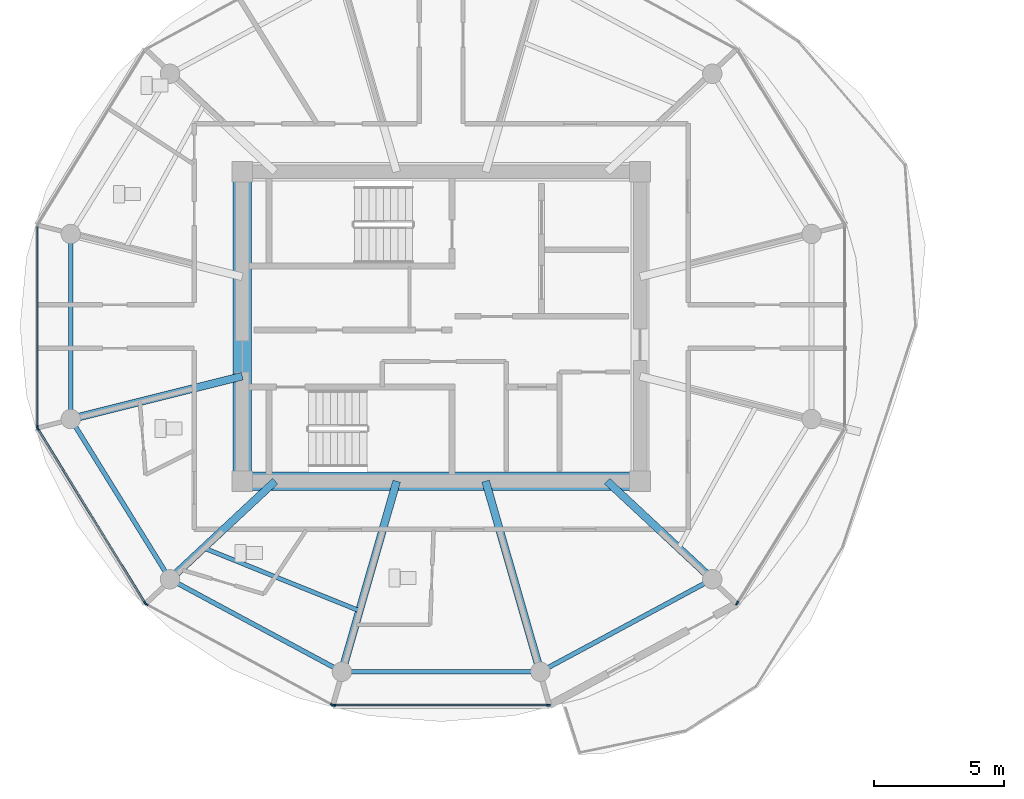
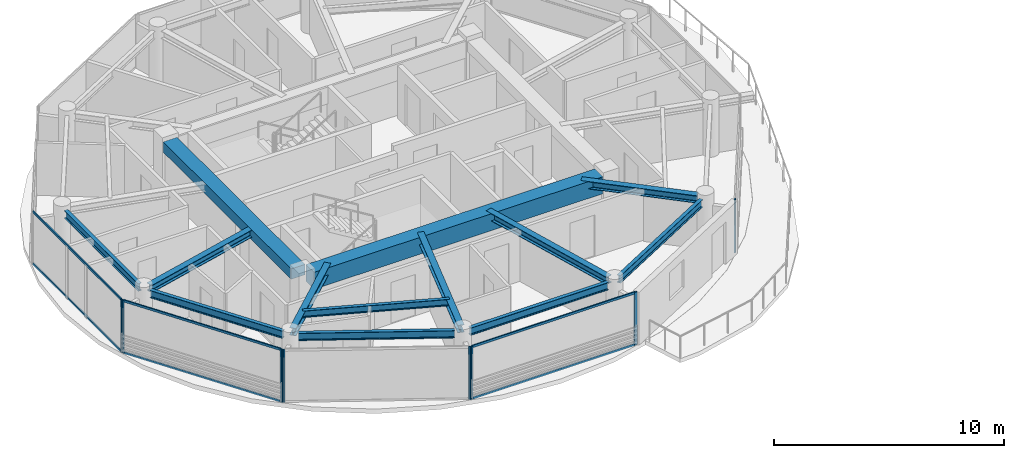
# One storey, part 2 of 19: 14 members, 13 beams, 5 elements without a shape of their own.
"""IFC4 building model written with IfcOpenShell, lengths in metres."""

from ifc_helpers import new_model, si_unit, direction, frame, origin, origin_2d, place, context, subcontext, project, spatial, rectangle, i_section, extrude, source, transform, mapped, material, layer, layer_set, material_profile, profile_set, type_object, type_shapes, element, aggregate, save


model = new_model("IFC4")

# Units and contexts
model_context = context("Model", 3, precision=1e-05, world=origin(), true_north=direction((0.0, 1.0)))
body_context = subcontext(model_context, "Body", "Model", "MODEL_VIEW")
ifc_project = project(units=[si_unit("LENGTHUNIT", "METRE"), si_unit("AREAUNIT", "SQUARE_METRE"), si_unit("VOLUMEUNIT", "CUBIC_METRE"), si_unit("PLANEANGLEUNIT", "RADIAN"), si_unit("MASSUNIT", "GRAM", prefix="KILO")], contexts=[model_context])

# Site, building, storey
site_placement = place(None, origin())
site = spatial("IfcSite", under=ifc_project, at=site_placement, CompositionType="ELEMENT")
building_placement = place(site_placement, origin())
building = spatial("IfcBuilding", under=site, at=building_placement, Name="Norrkilde Senior Care Towers", CompositionType="ELEMENT")
storey_placement = place(building_placement, frame((0.0, 0.0, 193.699951171875)))
storey = spatial("IfcBuildingStorey", under=building, at=storey_placement, Name="L60", CompositionType="ELEMENT", Elevation=193.699951171875)

# Beams
ifc_material_1 = material(Name="Concrete C60/75", Category="concrete")
ifc_material_profile_1 = material_profile(ifc_material_1, rectangle(XDim=0.699951171875, YDim=0.89990234375, at=origin_2d()), Name="RC BM 700x900")
ifc_profile_set_1 = profile_set([ifc_material_profile_1], Name="Concrete C60/75")
beam_type_1 = type_object("IfcBeamType", Name="Core Coupling Girder 700x900", PredefinedType="USERDEFINED", material=ifc_profile_set_1)
shared_shape_1 = source(origin(), body_context, "Body", "SweptSolid", [
    extrude(rectangle(XDim=0.699951171875, YDim=0.89990234375, at=origin_2d()), origin(), (0.0, 0.0, 1.0), 14.5400390625),
])
type_shapes(beam_type_1, [shared_shape_1])
beam_1_placement = place(storey_placement, frame((-35.27001953125, -5.949951171875, 2.360107421875), z_axis=(1.0, 0.0, 0.0), x_axis=(0.0, 1.0, 0.0)))
element("IfcBeam", 1, at=beam_1_placement, inside=storey, type_object=beam_type_1, Name="L60 Core W S Coupling Girder", ObjectType="GIRDER", PredefinedType="USERDEFINED", context=body_context, shape_type="MappedRepresentation", body=[
    mapped(shared_shape_1, transform((0.0, 0.0, 0.0), x_axis=(1.0, 0.0, 0.0), y_axis=(0.0, 1.0, 0.0), z_axis=(0.0, 0.0, 1.0), scale=1.0)),
])
ifc_material_profile_2 = material_profile(ifc_material_1, rectangle(XDim=0.699951171875, YDim=0.550048828125, at=origin_2d()), Name="RC BM 700x550")
ifc_profile_set_2 = profile_set([ifc_material_profile_2], Name="Concrete C60/75")
beam_type_2 = type_object("IfcBeamType", Name="Core Portal Coupling Beam 700x550", PredefinedType="USERDEFINED", material=ifc_profile_set_2)
shared_shape_2 = source(origin(), body_context, "Body", "SweptSolid", [
    extrude(rectangle(XDim=0.699951171875, YDim=0.550048828125, at=origin_2d()), origin(), (0.0, 0.0, 1.0), 11.14013671875),
])
type_shapes(beam_type_2, [shared_shape_2])
beam_2_placement = place(storey_placement, frame((-35.64990234375, -5.570068359375, 2.53515625), z_axis=(0.0, 1.0, 0.0), x_axis=(-1.0, 0.0, 0.0)))
element("IfcBeam", 2, at=beam_2_placement, inside=storey, type_object=beam_type_2, Name="L60 Core W W Coupling Girder", ObjectType="GIRDER", PredefinedType="USERDEFINED", context=body_context, shape_type="MappedRepresentation", body=[
    mapped(shared_shape_2, transform((0.0, 0.0, 0.0), x_axis=(1.0, 0.0, 0.0), y_axis=(0.0, 1.0, 0.0), z_axis=(0.0, 0.0, 1.0), scale=1.0)),
])
ifc_material_2 = material(Name="Steel S355", Category="steel")
ifc_material_profile_3 = material_profile(ifc_material_2, i_section(OverallWidth=0.179931640625, OverallDepth=0.39990234375, WebThickness=0.008544921875, FlangeThickness=0.013427734375, FilletRadius=0.02099609375, at=origin_2d()), Name="IPE 400")
ifc_profile_set_3 = profile_set([ifc_material_profile_3], Name="Steel S355")
beam_type_3 = type_object("IfcBeamType", Name="Perimeter Ring Spandrel Z4 IPE400", PredefinedType="SPANDREL", material=ifc_profile_set_3)
shared_shape_3 = source(origin(), body_context, "Body", "SweptSolid", [
    extrude(i_section(OverallWidth=0.179931640625, OverallDepth=0.39990234375, WebThickness=0.008544921875, FlangeThickness=0.013427734375, FilletRadius=0.02099609375, at=origin_2d()), origin(), (0.0, 0.0, 1.0), 6.58056640625),
])
beam_3_placement = place(storey_placement, frame((-42.071044921875, -3.843505859375, 2.610107421875), z_axis=(0.526529583789, -0.850156807533, 0.0), x_axis=(0.850156807533, 0.526529583789, 0.0)))
element("IfcBeam", 3, at=beam_3_placement, inside=storey, type_object=beam_type_3, Name="L60 Drum W Perimeter Spandrel 07", PredefinedType="SPANDREL", context=body_context, shape_type="MappedRepresentation", body=[
    mapped(shared_shape_3, transform((0.0, 0.0, 0.0), x_axis=(1.0, 0.0, 0.0), y_axis=(0.0, 1.0, 0.0), z_axis=(0.0, 0.0, 1.0), scale=1.0)),
])
ifc_material_profile_4 = material_profile(ifc_material_2, i_section(OverallWidth=0.300048828125, OverallDepth=0.39990234375, WebThickness=0.013427734375, FlangeThickness=0.02392578125, FilletRadius=0.027099609375, at=origin_2d()), Name="HEB 400")
ifc_profile_set_4 = profile_set([ifc_material_profile_4], Name="Steel S355")
beam_type_4 = type_object("IfcBeamType", Name="Radial Floor Beam Z4 HEB400", PredefinedType="BEAM", material=ifc_profile_set_4)
shared_shape_4 = source(origin(), body_context, "Body", "SweptSolid", [
    extrude(i_section(OverallWidth=0.300048828125, OverallDepth=0.39990234375, WebThickness=0.013427734375, FlangeThickness=0.02392578125, FilletRadius=0.027099609375, at=origin_2d()), origin(), (0.0, 0.0, 1.0), 6.465087890625),
])
beam_4_placement = place(storey_placement, frame((-35.64990234375, -1.910888671875, 2.610107421875), z_axis=(-0.970195788563, -0.242322371758, 0.0), x_axis=(0.242322371758, -0.970195788563, 0.0)))
element("IfcBeam", 4, at=beam_4_placement, inside=storey, type_object=beam_type_4, Name="L60 Drum W Radial Floor Beam 07", PredefinedType="BEAM", context=body_context, shape_type="MappedRepresentation", body=[
    mapped(shared_shape_4, transform((0.0, 0.0, 0.0), x_axis=(1.0, 0.0, 0.0), y_axis=(0.0, 1.0, 0.0), z_axis=(0.0, 0.0, 1.0), scale=1.0)),
])
shared_shape_5 = source(origin(), body_context, "Body", "SweptSolid", [
    extrude(i_section(OverallWidth=0.179931640625, OverallDepth=0.39990234375, WebThickness=0.008544921875, FlangeThickness=0.013427734375, FilletRadius=0.02099609375, at=origin_2d()), origin(), (0.0, 0.0, 1.0), 6.839111328125),
])
for number, where, z_axis, x_axis, name in (
    (5, (-38.134765625, -9.881591796875, 2.610107421875), (0.880563930732, -0.473927382511, 0.0), (0.473927382511, 0.880563930732, 0.0), "L60 Drum W Perimeter Spandrel 08"),
    (6, (-23.887451171875, -13.122802734375, 2.610107421875), (0.880563930732, 0.473927382511, 0.0), (-0.473927382511, 0.880563930732, 0.0), "L60 Drum W Perimeter Spandrel 10"),
):
    element("IfcBeam", number, at=place(storey_placement, frame(where, z_axis=z_axis, x_axis=x_axis)), inside=storey, type_object=beam_type_3, Name=name, PredefinedType="SPANDREL", context=body_context, shape_type="MappedRepresentation", body=[
        mapped(shared_shape_5, transform((0.0, 0.0, 0.0), x_axis=(1.0, 0.0, 0.0), y_axis=(0.0, 1.0, 0.0), z_axis=(0.0, 0.0, 1.0), scale=1.0)),
    ])
shared_shape_6 = source(origin(), body_context, "Body", "SweptSolid", [
    extrude(i_section(OverallWidth=0.300048828125, OverallDepth=0.39990234375, WebThickness=0.013427734375, FlangeThickness=0.02392578125, FilletRadius=0.027099609375, at=origin_2d()), origin(), (0.0, 0.0, 1.0), 5.197998046875),
])
for number, where, z_axis, x_axis, name in (
    (7, (-34.3828125, -5.949951171875, 2.610107421875), (-0.731448749334, -0.681896419625, 0.0), (0.681896419625, -0.731448749334, 0.0), "L60 Drum W Radial Floor Beam 08"),
    (8, (-21.6171875, -5.949951171875, 2.610107421875), (0.731448749334, -0.681896419625, 0.0), (0.681896419625, 0.731448749334, 0.0), "L60 Drum W Radial Floor Beam 11"),
):
    element("IfcBeam", number, at=place(storey_placement, frame(where, z_axis=z_axis, x_axis=x_axis)), inside=storey, type_object=beam_type_4, Name=name, PredefinedType="BEAM", context=body_context, shape_type="MappedRepresentation", body=[
        mapped(shared_shape_6, transform((0.0, 0.0, 0.0), x_axis=(1.0, 0.0, 0.0), y_axis=(0.0, 1.0, 0.0), z_axis=(0.0, 0.0, 1.0), scale=1.0)),
    ])
shared_shape_7 = source(origin(), body_context, "Body", "SweptSolid", [
    extrude(i_section(OverallWidth=0.179931640625, OverallDepth=0.39990234375, WebThickness=0.008544921875, FlangeThickness=0.013427734375, FilletRadius=0.02099609375, at=origin_2d()), origin(), (0.0, 0.0, 1.0), 6.96533203125),
])
beam_5_placement = place(storey_placement, frame((-31.482666015625, -13.281494140625, 2.610107421875), z_axis=(1.0, 0.0, 0.0), x_axis=(0.0, 1.0, 0.0)))
element("IfcBeam", 9, at=beam_5_placement, inside=storey, type_object=beam_type_3, Name="L60 Drum W Perimeter Spandrel 09", PredefinedType="SPANDREL", context=body_context, shape_type="MappedRepresentation", body=[
    mapped(shared_shape_7, transform((0.0, 0.0, 0.0), x_axis=(1.0, 0.0, 0.0), y_axis=(0.0, 1.0, 0.0), z_axis=(0.0, 0.0, 1.0), scale=1.0)),
])
shared_shape_8 = source(origin(), body_context, "Body", "SweptSolid", [
    extrude(i_section(OverallWidth=0.300048828125, OverallDepth=0.39990234375, WebThickness=0.013427734375, FlangeThickness=0.02392578125, FilletRadius=0.027099609375, at=origin_2d()), origin(), (0.0, 0.0, 1.0), 7.29345703125),
])
type_shapes(beam_type_4, [shared_shape_4, shared_shape_6, shared_shape_8])
for number, where, z_axis, x_axis, name in (
    (10, (-29.710205078125, -5.949951171875, 2.610107421875), (-0.276263751906, -0.961081858836, 0.0), (0.961081858836, -0.276263751906, 0.0), "L60 Drum W Radial Floor Beam 09"),
    (11, (-26.289794921875, -5.949951171875, 2.610107421875), (0.276263751906, -0.961081858836, 0.0), (0.961081858836, 0.276263751906, 0.0), "L60 Drum W Radial Floor Beam 10"),
):
    element("IfcBeam", number, at=place(storey_placement, frame(where, z_axis=z_axis, x_axis=x_axis)), inside=storey, type_object=beam_type_4, Name=name, PredefinedType="BEAM", context=body_context, shape_type="MappedRepresentation", body=[
        mapped(shared_shape_8, transform((0.0, 0.0, 0.0), x_axis=(1.0, 0.0, 0.0), y_axis=(0.0, 1.0, 0.0), z_axis=(0.0, 0.0, 1.0), scale=1.0)),
    ])
shared_shape_9 = source(origin(), body_context, "Body", "SweptSolid", [
    extrude(i_section(OverallWidth=0.179931640625, OverallDepth=0.39990234375, WebThickness=0.008544921875, FlangeThickness=0.013427734375, FilletRadius=0.02099609375, at=origin_2d()), origin(), (0.0, 0.0, 1.0), 6.44775390625),
])
type_shapes(beam_type_3, [shared_shape_3, shared_shape_5, shared_shape_7, shared_shape_9])
beam_6_placement = place(storey_placement, frame((-42.247314453125, 3.223876953125, 2.610107421875), z_axis=(0.0, -1.0, 0.0), x_axis=(1.0, 0.0, 0.0)))
element("IfcBeam", 12, at=beam_6_placement, inside=storey, type_object=beam_type_3, Name="L60 Drum W Perimeter Spandrel 06", PredefinedType="SPANDREL", context=body_context, shape_type="MappedRepresentation", body=[
    mapped(shared_shape_9, transform((0.0, 0.0, 0.0), x_axis=(1.0, 0.0, 0.0), y_axis=(0.0, 1.0, 0.0), z_axis=(0.0, 0.0, 1.0), scale=1.0)),
])
ifc_material_profile_5 = material_profile(ifc_material_2, i_section(OverallWidth=0.169921875, OverallDepth=0.360107421875, WebThickness=0.008056640625, FlangeThickness=0.0126953125, FilletRadius=0.01806640625, at=origin_2d()), Name="IPE 360")
ifc_profile_set_5 = profile_set([ifc_material_profile_5], Name="Steel S355")
beam_type_5 = type_object("IfcBeamType", Name="Secondary Floor Joist IPE360", PredefinedType="JOIST", material=ifc_profile_set_5)
shared_shape_10 = source(origin(), body_context, "Body", "SweptSolid", [
    extrude(i_section(OverallWidth=0.169921875, OverallDepth=0.360107421875, WebThickness=0.008056640625, FlangeThickness=0.0126953125, FilletRadius=0.01806640625, at=origin_2d()), origin(), (0.0, 0.0, 1.0), 6.461669921875),
])
type_shapes(beam_type_5, [shared_shape_10])
beam_7_placement = place(storey_placement, frame((-37.134765625, -8.515380859375, 2.630126953125), z_axis=(0.927225942298, -0.374502405772, 0.0), x_axis=(0.374502405772, 0.927225942298, 0.0)))
element("IfcBeam", 13, at=beam_7_placement, inside=storey, type_object=beam_type_5, Name="L60 Drum W Secondary Floor Joist 3", PredefinedType="JOIST", context=body_context, shape_type="MappedRepresentation", body=[
    mapped(shared_shape_10, transform((0.0, 0.0, 0.0), x_axis=(1.0, 0.0, 0.0), y_axis=(0.0, 1.0, 0.0), z_axis=(0.0, 0.0, 1.0), scale=1.0)),
])

# Curtain wall, member
ifc_material_3 = material(Name="Triple Low-E Insulated Glazing", Category="glass")
ifc_layer = layer(ifc_material_3, 0.18505859375)
ifc_layer_set = layer_set([ifc_layer], Name="Triple Low-E Insulated Glazing")
curtain_wall_type = type_object("IfcCurtainWallType", Name="CW6 Zone 4 Crown Pavilion Curtain Wall", PredefinedType="NOTDEFINED", material=ifc_layer_set)
curtain_wall_1_placement = place(storey_placement, origin())
curtain_wall_1 = element("IfcCurtainWall", 14, at=curtain_wall_1_placement, inside=storey, type_object=curtain_wall_type, Name="L60 Drum W Curtain Wall 05", PredefinedType="NOTDEFINED")
ifc_material_4 = material(Name="Anodised Aluminium", Category="aluminium")
ifc_material_profile_6 = material_profile(ifc_material_4, rectangle(XDim=0.06494140625, YDim=0.14990234375, at=origin_2d()), Name="ALU MULL 65x150")
ifc_profile_set_6 = profile_set([ifc_material_profile_6], Name="Anodised Aluminium")
member_type_1 = type_object("IfcMemberType", Name="Curtain Wall Mullion Z3-Z4 65x150", PredefinedType="MULLION", material=ifc_profile_set_6)
shared_shape_11 = source(origin(), body_context, "Body", "SweptSolid", [
    extrude(rectangle(XDim=0.06494140625, YDim=0.14990234375, at=origin_2d()), origin(), (0.0, 0.0, 1.0), 2.81005859375),
])
type_shapes(member_type_1, [shared_shape_11])
member_1_placement = place(storey_placement, frame((-43.531982421875, -3.87060546875, 0.0), z_axis=(0.0, 0.0, 1.0), x_axis=(-1.0, 0.0, 0.0)))
member_1 = element("IfcMember", 15, at=member_1_placement, type_object=member_type_1, Name="CW-6 mullion 1", PredefinedType="MULLION", context=body_context, shape_type="MappedRepresentation", body=[
    mapped(shared_shape_11, transform((0.0, 0.0, 0.0), x_axis=(1.0, 0.0, 0.0), y_axis=(0.0, 1.0, 0.0), z_axis=(0.0, 0.0, 1.0), scale=1.0)),
])

# Curtain wall, members
curtain_wall_2_placement = place(storey_placement, origin())
curtain_wall_2 = element("IfcCurtainWall", 16, at=curtain_wall_2_placement, inside=storey, type_object=curtain_wall_type, Name="L60 Drum W Curtain Wall 06", PredefinedType="NOTDEFINED")
member_2_placement = place(storey_placement, frame((-39.38720703125, -10.635498046875, 0.0), z_axis=(0.0, 0.0, 1.0), x_axis=(-0.851562727283, -0.524252726748, 0.0)))
member_2 = element("IfcMember", 17, at=member_2_placement, type_object=member_type_1, Name="CW-6 mullion 1", PredefinedType="MULLION", context=body_context, shape_type="MappedRepresentation", body=[
    mapped(shared_shape_11, transform((0.0, 0.0, 0.0), x_axis=(1.0, 0.0, 0.0), y_axis=(0.0, 1.0, 0.0), z_axis=(0.0, 0.0, 1.0), scale=1.0)),
])
member_3_placement = place(storey_placement, frame((-43.51513671875, -3.9306640625, 0.0), z_axis=(0.0, 0.0, 1.0), x_axis=(-0.851562727283, -0.524252726748, 0.0)))
member_3 = element("IfcMember", 18, at=member_3_placement, type_object=member_type_1, Name="CW-6 mullion 2", PredefinedType="MULLION", context=body_context, shape_type="MappedRepresentation", body=[
    mapped(shared_shape_11, transform((0.0, 0.0, 0.0), x_axis=(1.0, 0.0, 0.0), y_axis=(0.0, 1.0, 0.0), z_axis=(0.0, 0.0, 1.0), scale=1.0)),
])

curtain_wall_3_placement = place(storey_placement, origin())
curtain_wall_3 = element("IfcCurtainWall", 19, at=curtain_wall_3_placement, inside=storey, type_object=curtain_wall_type, Name="L60 Drum W Curtain Wall 07", PredefinedType="NOTDEFINED")
member_4_placement = place(storey_placement, frame((-32.1904296875, -14.55078125, 0.0), z_axis=(0.0, 0.0, 1.0), x_axis=(-0.476132676136, -0.879373455772, 0.0)))
member_4 = element("IfcMember", 20, at=member_4_placement, type_object=member_type_1, Name="CW-6 mullion 1", PredefinedType="MULLION", context=body_context, shape_type="MappedRepresentation", body=[
    mapped(shared_shape_11, transform((0.0, 0.0, 0.0), x_axis=(1.0, 0.0, 0.0), y_axis=(0.0, 1.0, 0.0), z_axis=(0.0, 0.0, 1.0), scale=1.0)),
])
member_5_placement = place(storey_placement, frame((-39.341796875, -10.6787109375, 0.0), z_axis=(0.0, 0.0, 1.0), x_axis=(-0.476132676136, -0.879373455772, 0.0)))
member_5 = element("IfcMember", 21, at=member_5_placement, type_object=member_type_1, Name="CW-6 mullion 2", PredefinedType="MULLION", context=body_context, shape_type="MappedRepresentation", body=[
    mapped(shared_shape_11, transform((0.0, 0.0, 0.0), x_axis=(1.0, 0.0, 0.0), y_axis=(0.0, 1.0, 0.0), z_axis=(0.0, 0.0, 1.0), scale=1.0)),
])
aggregate(curtain_wall_3, [member_4, member_5])

curtain_wall_4_placement = place(storey_placement, origin())
curtain_wall_4 = element("IfcCurtainWall", 22, at=curtain_wall_4_placement, inside=storey, type_object=curtain_wall_type, Name="L60 Drum W Curtain Wall 08", PredefinedType="NOTDEFINED")
member_6_placement = place(storey_placement, frame((-23.87060546875, -14.566162109375, 0.0), z_axis=(0.0, 0.0, 1.0), x_axis=(0.0, -1.0, 0.0)))
member_6 = element("IfcMember", 23, at=member_6_placement, type_object=member_type_1, Name="CW-6 mullion 1", PredefinedType="MULLION", context=body_context, shape_type="MappedRepresentation", body=[
    mapped(shared_shape_11, transform((0.0, 0.0, 0.0), x_axis=(1.0, 0.0, 0.0), y_axis=(0.0, 1.0, 0.0), z_axis=(0.0, 0.0, 1.0), scale=1.0)),
])
member_7_placement = place(storey_placement, frame((-32.12939453125, -14.566162109375, 0.0), z_axis=(0.0, 0.0, 1.0), x_axis=(0.0, -1.0, 0.0)))
member_7 = element("IfcMember", 24, at=member_7_placement, type_object=member_type_1, Name="CW-6 mullion 2", PredefinedType="MULLION", context=body_context, shape_type="MappedRepresentation", body=[
    mapped(shared_shape_11, transform((0.0, 0.0, 0.0), x_axis=(1.0, 0.0, 0.0), y_axis=(0.0, 1.0, 0.0), z_axis=(0.0, 0.0, 1.0), scale=1.0)),
])

# Curtain wall, member
curtain_wall_5_placement = place(storey_placement, origin())
curtain_wall_5 = element("IfcCurtainWall", 25, at=curtain_wall_5_placement, inside=storey, type_object=curtain_wall_type, Name="L60 Drum W Curtain Wall 10", PredefinedType="NOTDEFINED")
member_8_placement = place(storey_placement, frame((-16.61279296875, -10.635498046875, 0.0), z_axis=(0.0, 0.0, 1.0), x_axis=(0.851562727283, -0.524252726748, 0.0)))
member_8 = element("IfcMember", 26, at=member_8_placement, type_object=member_type_1, Name="CW-6 mullion 2", PredefinedType="MULLION", context=body_context, shape_type="MappedRepresentation", body=[
    mapped(shared_shape_11, transform((0.0, 0.0, 0.0), x_axis=(1.0, 0.0, 0.0), y_axis=(0.0, 1.0, 0.0), z_axis=(0.0, 0.0, 1.0), scale=1.0)),
])
aggregate(curtain_wall_5, [member_8])

# Member
ifc_material_profile_7 = material_profile(ifc_material_4, rectangle(XDim=0.06005859375, YDim=0.1201171875, at=origin_2d()), Name="ALU TRAN 60x120")
ifc_profile_set_7 = profile_set([ifc_material_profile_7], Name="Anodised Aluminium")
member_type_2 = type_object("IfcMemberType", Name="Curtain Wall Transom Typical 60x120", PredefinedType="USERDEFINED", material=ifc_profile_set_7)
shared_shape_12 = source(origin(), body_context, "Body", "SweptSolid", [
    extrude(rectangle(XDim=0.06005859375, YDim=0.1201171875, at=origin_2d()), origin(), (0.0, 0.0, 1.0), 7.808837890625),
])
member_9_placement = place(storey_placement, frame((-39.404296875, -10.60791015625, 0.030029296875), z_axis=(-0.524250924101, 0.851563837055, 0.0), x_axis=(-0.851563837055, -0.524250924101, 0.0)))
member_9 = element("IfcMember", 27, at=member_9_placement, type_object=member_type_2, Name="CW-6 transom 1.1", ObjectType="TRANSOM", PredefinedType="USERDEFINED", context=body_context, shape_type="MappedRepresentation", body=[
    mapped(shared_shape_12, transform((0.0, 0.0, 0.0), x_axis=(1.0, 0.0, 0.0), y_axis=(0.0, 1.0, 0.0), z_axis=(0.0, 0.0, 1.0), scale=1.0)),
])

member_10_placement = place(storey_placement, frame((-39.404296875, -10.60791015625, 2.780029296875), z_axis=(-0.524250924101, 0.851563837055, 0.0), x_axis=(-0.851563837055, -0.524250924101, 0.0)))
member_10 = element("IfcMember", 28, at=member_10_placement, type_object=member_type_2, Name="CW-6 transom 1.2", ObjectType="TRANSOM", PredefinedType="USERDEFINED", context=body_context, shape_type="MappedRepresentation", body=[
    mapped(shared_shape_12, transform((0.0, 0.0, 0.0), x_axis=(1.0, 0.0, 0.0), y_axis=(0.0, 1.0, 0.0), z_axis=(0.0, 0.0, 1.0), scale=1.0)),
])

aggregate(curtain_wall_2, [member_2, member_3, member_9, member_10])

shared_shape_13 = source(origin(), body_context, "Body", "SweptSolid", [
    extrude(rectangle(XDim=0.06005859375, YDim=0.1201171875, at=origin_2d()), origin(), (0.0, 0.0, 1.0), 8.19384765625),
])
member_11_placement = place(storey_placement, frame((-23.903076171875, -14.566162109375, 0.030029296875), z_axis=(-1.0, 0.0, 0.0), x_axis=(0.0, -1.0, 0.0)))
member_11 = element("IfcMember", 29, at=member_11_placement, type_object=member_type_2, Name="CW-6 transom 1.1", ObjectType="TRANSOM", PredefinedType="USERDEFINED", context=body_context, shape_type="MappedRepresentation", body=[
    mapped(shared_shape_13, transform((0.0, 0.0, 0.0), x_axis=(1.0, 0.0, 0.0), y_axis=(0.0, 1.0, 0.0), z_axis=(0.0, 0.0, 1.0), scale=1.0)),
])

member_12_placement = place(storey_placement, frame((-23.903076171875, -14.566162109375, 2.780029296875), z_axis=(-1.0, 0.0, 0.0), x_axis=(0.0, -1.0, 0.0)))
member_12 = element("IfcMember", 30, at=member_12_placement, type_object=member_type_2, Name="CW-6 transom 1.2", ObjectType="TRANSOM", PredefinedType="USERDEFINED", context=body_context, shape_type="MappedRepresentation", body=[
    mapped(shared_shape_13, transform((0.0, 0.0, 0.0), x_axis=(1.0, 0.0, 0.0), y_axis=(0.0, 1.0, 0.0), z_axis=(0.0, 0.0, 1.0), scale=1.0)),
])

aggregate(curtain_wall_4, [member_6, member_7, member_11, member_12])

shared_shape_14 = source(origin(), body_context, "Body", "SweptSolid", [
    extrude(rectangle(XDim=0.06005859375, YDim=0.1201171875, at=origin_2d()), origin(), (0.0, 0.0, 1.0), 7.67578125),
])
type_shapes(member_type_2, [shared_shape_12, shared_shape_13, shared_shape_14])
member_13_placement = place(storey_placement, frame((-43.531982421875, -3.837890625, 0.030029296875), z_axis=(0.0, 1.0, 0.0), x_axis=(-1.0, 0.0, 0.0)))
member_13 = element("IfcMember", 31, at=member_13_placement, type_object=member_type_2, Name="CW-6 transom 1.1", ObjectType="TRANSOM", PredefinedType="USERDEFINED", context=body_context, shape_type="MappedRepresentation", body=[
    mapped(shared_shape_14, transform((0.0, 0.0, 0.0), x_axis=(1.0, 0.0, 0.0), y_axis=(0.0, 1.0, 0.0), z_axis=(0.0, 0.0, 1.0), scale=1.0)),
])

member_14_placement = place(storey_placement, frame((-43.531982421875, -3.837890625, 2.780029296875), z_axis=(0.0, 1.0, 0.0), x_axis=(-1.0, 0.0, 0.0)))
member_14 = element("IfcMember", 32, at=member_14_placement, type_object=member_type_2, Name="CW-6 transom 1.2", ObjectType="TRANSOM", PredefinedType="USERDEFINED", context=body_context, shape_type="MappedRepresentation", body=[
    mapped(shared_shape_14, transform((0.0, 0.0, 0.0), x_axis=(1.0, 0.0, 0.0), y_axis=(0.0, 1.0, 0.0), z_axis=(0.0, 0.0, 1.0), scale=1.0)),
])

aggregate(curtain_wall_1, [member_1, member_13, member_14])

save(model, "model.ifc")
